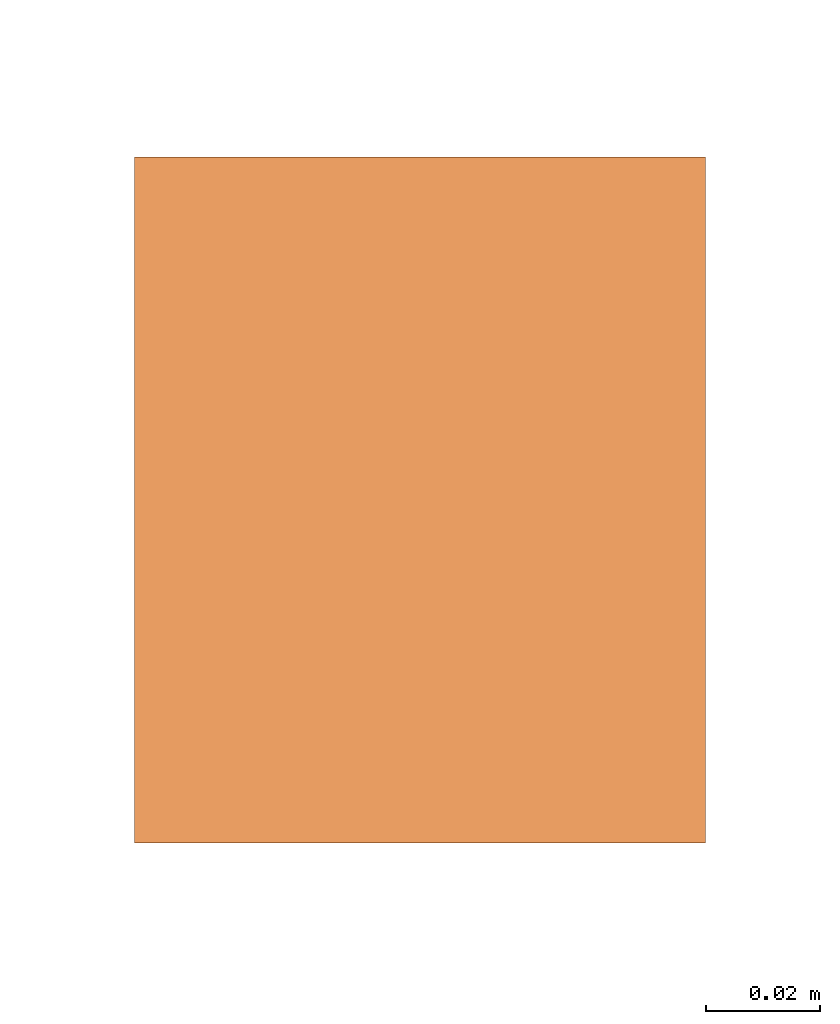
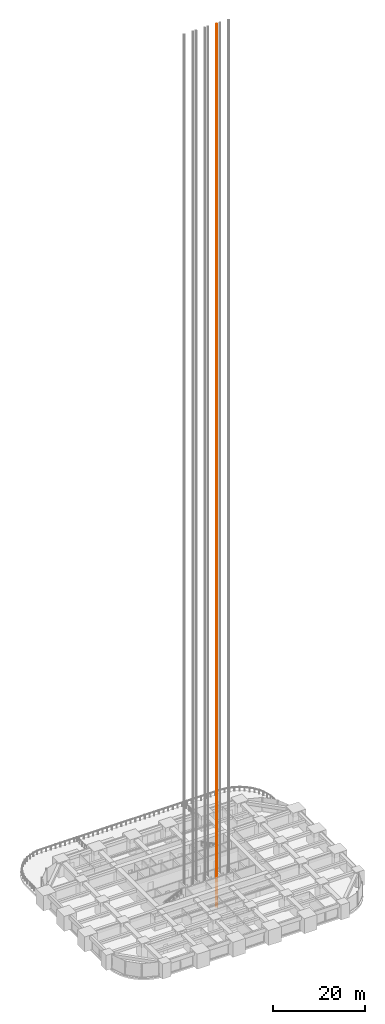
# One storey, part 48 of 50: 1 proxy.
"""IFC4 building model written with IfcOpenShell, lengths in metres."""

from ifc_helpers import new_model, si_unit, direction, frame, origin, origin_2d, place, context, subcontext, project, spatial, rectangle, extrude, element, save


model = new_model("IFC4")

# Units and contexts
model_context = context("Model", 3, precision=1e-05, world=origin(), true_north=direction((0.0, 1.0)))
body_context = subcontext(model_context, "Body", "Model", "MODEL_VIEW")
ifc_project = project(units=[si_unit("LENGTHUNIT", "METRE"), si_unit("AREAUNIT", "SQUARE_METRE"), si_unit("VOLUMEUNIT", "CUBIC_METRE"), si_unit("PLANEANGLEUNIT", "RADIAN"), si_unit("MASSUNIT", "GRAM", prefix="KILO")], contexts=[model_context])

# Site, building, storey
site_placement = place(None, origin())
site = spatial("IfcSite", under=ifc_project, at=site_placement, CompositionType="ELEMENT")
building_placement = place(site_placement, origin())
building = spatial("IfcBuilding", under=site, at=building_placement, Name="Zorevar Civic Tower", CompositionType="ELEMENT")
storey_placement = place(building_placement, frame((0.0, 0.0, 85.0)))
storey = spatial("IfcBuildingStorey", under=building, at=storey_placement, Name="L20", CompositionType="ELEMENT", Elevation=85.0)

# Proxy
proxy_placement = place(storey_placement, frame((35.60009765625, 23.10009765625, -5.0), z_axis=(0.0, 0.0, 1.0), x_axis=(1.0, 0.0, 0.0)))
element("IfcBuildingElementProxy", 1, at=proxy_placement, inside=storey, Name="Passenger lift LT3 guide rail 2", PredefinedType="NOTDEFINED", context=body_context, shape_type="SweptSolid", body=[
    extrude(rectangle(XDim=0.10009765625, YDim=0.1201171875, at=origin_2d()), origin(), (0.0, 0.0, 1.0), 235.300048828125),
])

save(model, "model.ifc")
